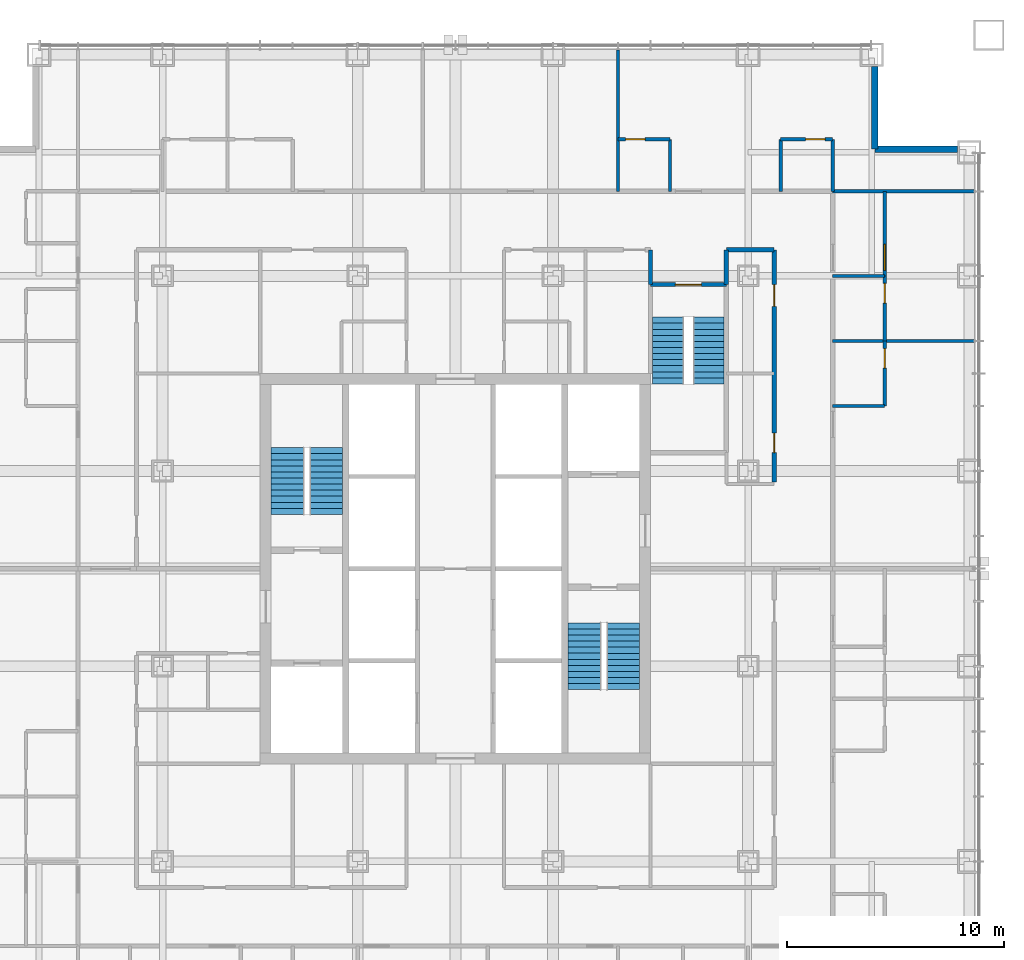
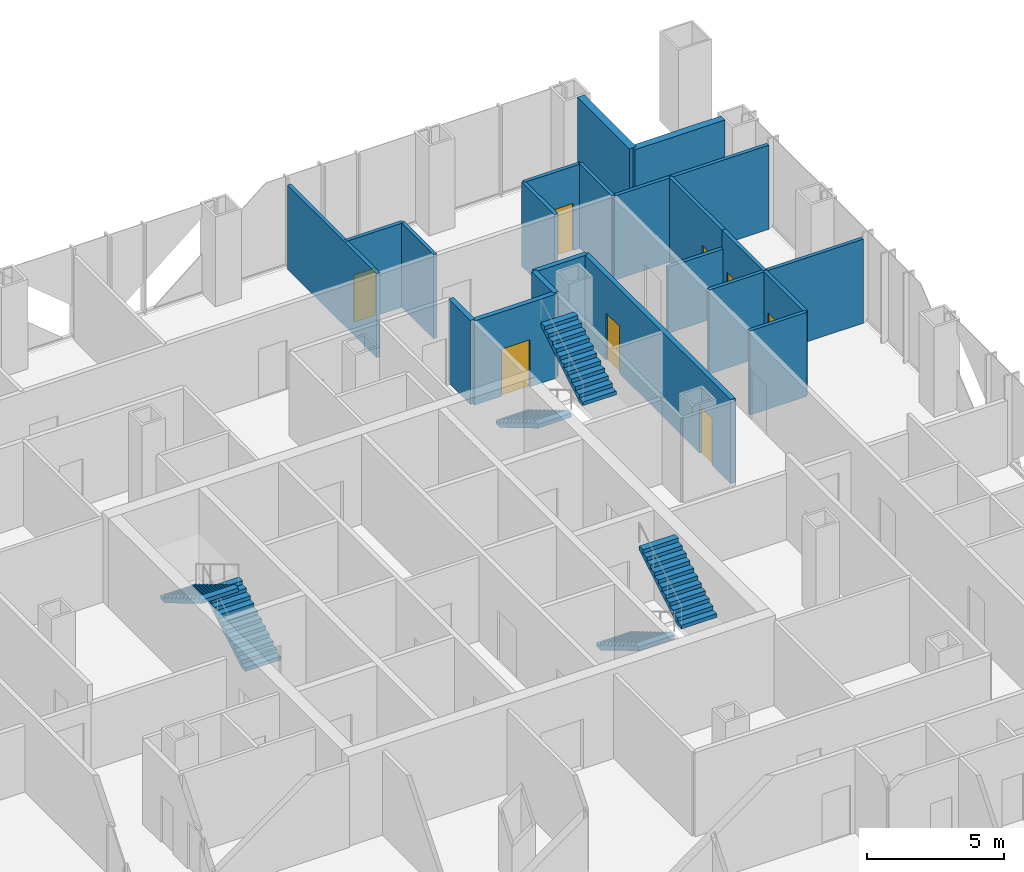
# One storey, part 12 of 17: 20 walls, 8 doors, 6 stair flights, 8 openings, 3 elements without a shape of their own.
"""IFC4 building model written with IfcOpenShell, lengths in metres."""

from ifc_helpers import new_model, si_unit, direction, frame, frame_2d, origin, place, context, subcontext, project, spatial, polyline, rectangle, outline, extrude, material, layer, layer_set, type_object, element, fill, aggregate, save


model = new_model("IFC4")

# Units and contexts
model_context = context("Model", 3, precision=1e-05, world=origin(), true_north=direction((0.0, 1.0)))
body_context = subcontext(model_context, "Body", "Model", "MODEL_VIEW")
ifc_project = project(units=[si_unit("LENGTHUNIT", "METRE"), si_unit("AREAUNIT", "SQUARE_METRE"), si_unit("VOLUMEUNIT", "CUBIC_METRE"), si_unit("PLANEANGLEUNIT", "RADIAN"), si_unit("MASSUNIT", "GRAM", prefix="KILO")], contexts=[model_context])

# Site, building, storey
site_placement = place(None, origin())
site = spatial("IfcSite", under=ifc_project, at=site_placement, CompositionType="ELEMENT")
building_placement = place(site_placement, origin())
building = spatial("IfcBuilding", under=site, at=building_placement, Name="Malebo Sky Hospital", CompositionType="ELEMENT")
storey_placement = place(building_placement, frame((0.0, 0.0, 120.0)))
storey = spatial("IfcBuildingStorey", under=building, at=storey_placement, Name="L28", CompositionType="ELEMENT", Elevation=120.0)

# Wall
ifc_material_1 = material(Name="Gypsum board on steel studs", Category="steel")
ifc_layer_1 = layer(ifc_material_1, 0.199951171875)
ifc_layer_set_1 = layer_set([ifc_layer_1], Name="CORRIDOR WALL 200")
wall_type_1 = type_object("IfcWallType", Name="CORRIDOR WALL 200", PredefinedType="PARTITIONING", material=ifc_layer_set_1)
wall_1_placement = place(storey_placement, frame((72.5, 76.699951171875, 0.0), z_axis=(0.0, 0.0, 1.0), x_axis=(1.0, 0.0, 0.0)))
element("IfcWall", 1, at=wall_1_placement, inside=storey, type_object=wall_type_1, Name="Corridor Wall 200 NCI2/2", PredefinedType="PARTITIONING", context=body_context, shape_type="SweptSolid", body=[
    extrude(rectangle(XDim=2.199951171875, YDim=0.199951171875, at=frame_2d((1.10009765625, 0.0))), origin(), (0.0, 0.0, 1.0), 3.75),
])

# Wall, openings, doors
wall_2_placement = place(storey_placement, frame((74.699951171875, 76.699951171875, 0.0), z_axis=(0.0, 0.0, 1.0), x_axis=(0.0, -1.0, 0.0)))
wall_2 = element("IfcWall", 2, at=wall_2_placement, inside=storey, type_object=wall_type_1, Name="Corridor Wall 200 ECI1", PredefinedType="PARTITIONING", context=body_context, shape_type="SweptSolid", body=[
    extrude(rectangle(XDim=10.699951171875, YDim=0.199951171875, at=frame_2d((5.35009765625, 0.0))), origin(), (0.0, 0.0, 1.0), 3.75),
])
opening_1_placement = place(wall_2_placement, frame((1.60009765625, 0.0, 0.0)))
opening_1 = element("IfcOpeningElement", 3, at=opening_1_placement, cuts=wall_2, Name="Opening D03", PredefinedType="OPENING", context=body_context, shape_type="SweptSolid", body=[
    extrude(rectangle(XDim=1.0, YDim=2.10009765625, at=frame_2d((0.5, 1.050048828125))), frame((0.0, 0.10986328125, 0.0), z_axis=(0.0, -1.0, 0.0), x_axis=(1.0, 0.0, 0.0)), (0.0, 0.0, 1.0), 0.219970703125),
])
opening_2_placement = place(wall_2_placement, frame((8.449951171875, 0.0, 0.0)))
opening_2 = element("IfcOpeningElement", 4, at=opening_2_placement, cuts=wall_2, Name="Opening D04", PredefinedType="OPENING", context=body_context, shape_type="SweptSolid", body=[
    extrude(rectangle(XDim=0.89990234375, YDim=2.10009765625, at=frame_2d((0.449951171875, 1.050048828125))), frame((0.0, 0.10986328125, 0.0), z_axis=(0.0, -1.0, 0.0), x_axis=(1.0, 0.0, 0.0)), (0.0, 0.0, 1.0), 0.219970703125),
])
ifc_material_2 = material(Name="Hardwood-faced door leaf in steel frame", Category="steel")
door_type_1 = type_object("IfcDoorType", Name="ROOM DOOR 1000", OperationType="SINGLE_SWING_LEFT", PredefinedType="DOOR", material=ifc_material_2)
door_1_placement = place(opening_1_placement, origin())
door_1 = element("IfcDoor", 5, at=door_1_placement, inside=storey, type_object=door_type_1, Name="Clean utility room door", OperationType="SINGLE_SWING_LEFT", OverallHeight=2.10009765625, OverallWidth=1.0, PredefinedType="DOOR", context=body_context, shape_type="SweptSolid", body=[
    extrude(rectangle(XDim=1.0, YDim=2.10009765625, at=frame_2d((0.5, 1.050048828125))), frame((0.0, 0.02490234375, 0.0), z_axis=(0.0, -1.0, 0.0), x_axis=(1.0, 0.0, 0.0)), (0.0, 0.0, 1.0), 0.050048828125),
])
fill(opening_1, door_1)
door_type_2 = type_object("IfcDoorType", Name="ROOM DOOR 900", OperationType="SINGLE_SWING_LEFT", PredefinedType="DOOR", material=ifc_material_2)
door_2_placement = place(opening_2_placement, origin())
door_2 = element("IfcDoor", 6, at=door_2_placement, inside=storey, type_object=door_type_2, Name="Equipment store door", OperationType="SINGLE_SWING_RIGHT", OverallHeight=2.10009765625, OverallWidth=0.89990234375, PredefinedType="DOOR", context=body_context, shape_type="SweptSolid", body=[
    extrude(rectangle(XDim=0.89990234375, YDim=2.10009765625, at=frame_2d((0.449951171875, 1.050048828125))), frame((0.0, 0.02490234375, 0.0), z_axis=(0.0, -1.0, 0.0), x_axis=(1.0, 0.0, 0.0)), (0.0, 0.0, 1.0), 0.050048828125),
])
fill(opening_2, door_2)

# Walls
for number, where, z_axis, x_axis, name in (
    (7, (69.0, 75.10009765625, 0.0), (0.0, 0.0, 1.0), (0.0, 1.0, 0.0), "Corridor Wall 200 ST3AW"),
    (8, (72.5, 75.10009765625, 0.0), (0.0, 0.0, 1.0), (0.0, 1.0, 0.0), "Corridor Wall 200 ST3AE"),
):
    element("IfcWall", number, at=place(storey_placement, frame(where, z_axis=z_axis, x_axis=x_axis)), inside=storey, type_object=wall_type_1, Name=name, PredefinedType="PARTITIONING", context=body_context, shape_type="SweptSolid", body=[
        extrude(rectangle(XDim=1.599853515625, YDim=0.199951171875, at=frame_2d((0.7998046875, 0.0))), origin(), (0.0, 0.0, 1.0), 3.75),
    ])
ifc_material_3 = material(Name="Anodised aluminium rainscreen on steel framing", Category="steel")
ifc_layer_2 = layer(ifc_material_3, 0.300048828125)
ifc_layer_set_2 = layer_set([ifc_layer_2], Name="NOTCH RAINSCREEN WALL 300")
wall_type_2 = type_object("IfcWallType", Name="NOTCH RAINSCREEN WALL 300", PredefinedType="ELEMENTEDWALL", material=ifc_layer_set_2)
for number, where, z_axis, x_axis, name in (
    (9, (79.35009765625, 85.14990234375, 0.0), (0.0, 0.0, 1.0), (0.0, -1.0, 0.0), "Notch rainscreen wall N1 L28"),
    (10, (79.35009765625, 81.35009765625, 0.0), (0.0, 0.0, 1.0), (1.0, 0.0, 0.0), "Notch rainscreen wall N2 L28"),
):
    element("IfcWall", number, at=place(storey_placement, frame(where, z_axis=z_axis, x_axis=x_axis)), inside=storey, type_object=wall_type_2, Name=name, PredefinedType="ELEMENTEDWALL", context=body_context, shape_type="SweptSolid", body=[
        extrude(rectangle(XDim=3.7998046875, YDim=0.300048828125, at=frame_2d((1.89990234375, 0.0))), origin(), (0.0, 0.0, 1.0), 4.0),
    ])
ifc_layer_3 = layer(ifc_material_1, 0.14990234375)
ifc_layer_set_3 = layer_set([ifc_layer_3], Name="PARTITION 150")
wall_type_3 = type_object("IfcWallType", Name="PARTITION 150", PredefinedType="PARTITIONING", material=ifc_layer_set_3)
wall_3_placement = place(storey_placement, frame((67.5, 79.39990234375, 0.0), z_axis=(0.0, 0.0, 1.0), x_axis=(0.0, 1.0, 0.0)))
element("IfcWall", 11, at=wall_3_placement, inside=storey, type_object=wall_type_3, Name="Partition 150 NP+7.5", PredefinedType="PARTITIONING", context=body_context, shape_type="SweptSolid", body=[
    extrude(rectangle(XDim=6.510009765625, YDim=0.14990234375, at=frame_2d((3.2548828125, 0.0))), origin(), (0.0, 0.0, 1.0), 3.75),
])

# Wall, opening, door
wall_4_placement = place(storey_placement, frame((67.5, 81.800048828125, 0.0), z_axis=(0.0, 0.0, 1.0), x_axis=(1.0, 0.0, 0.0)))
wall_4 = element("IfcWall", 12, at=wall_4_placement, inside=storey, type_object=wall_type_3, Name="Partition 150 NE3F", PredefinedType="PARTITIONING", context=body_context, shape_type="SweptSolid", body=[
    extrude(rectangle(XDim=2.39990234375, YDim=0.14990234375, at=frame_2d((1.199951171875, 0.0))), origin(), (0.0, 0.0, 1.0), 3.75),
])
opening_3_placement = place(wall_4_placement, frame((0.35009765625, 0.0, 0.0)))
opening_3 = element("IfcOpeningElement", 13, at=opening_3_placement, cuts=wall_4, Name="Opening D02", PredefinedType="OPENING", context=body_context, shape_type="SweptSolid", body=[
    extrude(rectangle(XDim=0.89990234375, YDim=2.10009765625, at=frame_2d((0.449951171875, 1.050048828125))), frame((0.0, 0.0849609375, 0.0), z_axis=(0.0, -1.0, 0.0), x_axis=(1.0, 0.0, 0.0)), (0.0, 0.0, 1.0), 0.169921875),
])
door_type_3 = type_object("IfcDoorType", Name="EN-SUITE DOOR 900", OperationType="SINGLE_SWING_LEFT", PredefinedType="DOOR", material=ifc_material_2)
door_3_placement = place(opening_3_placement, origin())
door_3 = element("IfcDoor", 14, at=door_3_placement, inside=storey, type_object=door_type_3, Name="En-suite door", OperationType="SINGLE_SWING_LEFT", OverallHeight=2.10009765625, OverallWidth=0.89990234375, PredefinedType="DOOR", context=body_context, shape_type="SweptSolid", body=[
    extrude(rectangle(XDim=0.89990234375, YDim=2.10009765625, at=frame_2d((0.449951171875, 1.050048828125))), frame((0.0, 0.02490234375, 0.0), z_axis=(0.0, -1.0, 0.0), x_axis=(1.0, 0.0, 0.0)), (0.0, 0.0, 1.0), 0.050048828125),
])
fill(opening_3, door_3)

# Wall
wall_5_placement = place(storey_placement, frame((69.89990234375, 79.39990234375, 0.0), z_axis=(0.0, 0.0, 1.0), x_axis=(0.0, 1.0, 0.0)))
element("IfcWall", 15, at=wall_5_placement, inside=storey, type_object=wall_type_3, Name="Partition 150 NE3S", PredefinedType="PARTITIONING", context=body_context, shape_type="SweptSolid", body=[
    extrude(rectangle(XDim=2.400146484375, YDim=0.14990234375, at=frame_2d((1.2001953125, 0.0))), origin(), (0.0, 0.0, 1.0), 3.75),
])

# Wall, opening, door
wall_6_placement = place(storey_placement, frame((75.0, 81.800048828125, 0.0), z_axis=(0.0, 0.0, 1.0), x_axis=(1.0, 0.0, 0.0)))
wall_6 = element("IfcWall", 16, at=wall_6_placement, inside=storey, type_object=wall_type_3, Name="Partition 150 NG3F", PredefinedType="PARTITIONING", context=body_context, shape_type="SweptSolid", body=[
    extrude(rectangle(XDim=2.39990234375, YDim=0.14990234375, at=frame_2d((1.199951171875, 0.0))), origin(), (0.0, 0.0, 1.0), 3.75),
])
opening_4_placement = place(wall_6_placement, frame((1.14990234375, 0.0, 0.0)))
opening_4 = element("IfcOpeningElement", 17, at=opening_4_placement, cuts=wall_6, Name="Opening D02", PredefinedType="OPENING", context=body_context, shape_type="SweptSolid", body=[
    extrude(rectangle(XDim=0.89990234375, YDim=2.10009765625, at=frame_2d((0.449951171875, 1.050048828125))), frame((0.0, 0.0849609375, 0.0), z_axis=(0.0, -1.0, 0.0), x_axis=(1.0, 0.0, 0.0)), (0.0, 0.0, 1.0), 0.169921875),
])
door_4_placement = place(opening_4_placement, origin())
door_4 = element("IfcDoor", 18, at=door_4_placement, inside=storey, type_object=door_type_3, Name="En-suite door", OperationType="SINGLE_SWING_RIGHT", OverallHeight=2.10009765625, OverallWidth=0.89990234375, PredefinedType="DOOR", context=body_context, shape_type="SweptSolid", body=[
    extrude(rectangle(XDim=0.89990234375, YDim=2.10009765625, at=frame_2d((0.449951171875, 1.050048828125))), frame((0.0, 0.02490234375, 0.0), z_axis=(0.0, -1.0, 0.0), x_axis=(1.0, 0.0, 0.0)), (0.0, 0.0, 1.0), 0.050048828125),
])
fill(opening_4, door_4)

# Walls
for number, where, z_axis, x_axis, name in (
    (19, (75.0, 79.39990234375, 0.0), (0.0, 0.0, 1.0), (0.0, 1.0, 0.0), "Partition 150 NG3S"),
    (20, (77.39990234375, 79.39990234375, 0.0), (0.0, 0.0, 1.0), (0.0, 1.0, 0.0), "Partition 150 NEZ"),
):
    element("IfcWall", number, at=place(storey_placement, frame(where, z_axis=z_axis, x_axis=x_axis)), inside=storey, type_object=wall_type_3, Name=name, PredefinedType="PARTITIONING", context=body_context, shape_type="SweptSolid", body=[
        extrude(rectangle(XDim=2.400146484375, YDim=0.14990234375, at=frame_2d((1.2001953125, 0.0))), origin(), (0.0, 0.0, 1.0), 3.75),
    ])
for number, where, z_axis, x_axis, name in (
    (21, (77.39990234375, 72.5, 0.0), (0.0, 0.0, 1.0), (1.0, 0.0, 0.0), "Partition 150 EP-10.5"),
    (22, (77.39990234375, 79.39990234375, 0.0), (0.0, 0.0, 1.0), (1.0, 0.0, 0.0), "Partition 150 EP0"),
):
    element("IfcWall", number, at=place(storey_placement, frame(where, z_axis=z_axis, x_axis=x_axis)), inside=storey, type_object=wall_type_3, Name=name, PredefinedType="PARTITIONING", context=body_context, shape_type="SweptSolid", body=[
        extrude(rectangle(XDim=6.510009765625, YDim=0.14990234375, at=frame_2d((3.2548828125, 0.0))), origin(), (0.0, 0.0, 1.0), 3.75),
    ])

# Wall, opening, door
wall_7_placement = place(storey_placement, frame((79.800048828125, 75.5, 0.0), z_axis=(0.0, 0.0, 1.0), x_axis=(0.0, -1.0, 0.0)))
wall_7 = element("IfcWall", 23, at=wall_7_placement, inside=storey, type_object=wall_type_3, Name="Partition 150 EE0F", PredefinedType="PARTITIONING", context=body_context, shape_type="SweptSolid", body=[
    extrude(rectangle(XDim=3.0, YDim=0.14990234375, at=frame_2d((1.5, 0.0))), origin(), (0.0, 0.0, 1.0), 3.75),
])
opening_5_placement = place(wall_7_placement, frame((0.35009765625, 0.0, 0.0)))
opening_5 = element("IfcOpeningElement", 24, at=opening_5_placement, cuts=wall_7, Name="Opening D02", PredefinedType="OPENING", context=body_context, shape_type="SweptSolid", body=[
    extrude(rectangle(XDim=0.89990234375, YDim=2.10009765625, at=frame_2d((0.449951171875, 1.050048828125))), frame((0.0, 0.0849609375, 0.0), z_axis=(0.0, -1.0, 0.0), x_axis=(1.0, 0.0, 0.0)), (0.0, 0.0, 1.0), 0.169921875),
])
door_5_placement = place(opening_5_placement, origin())
door_5 = element("IfcDoor", 25, at=door_5_placement, inside=storey, type_object=door_type_3, Name="En-suite door", OperationType="SINGLE_SWING_LEFT", OverallHeight=2.10009765625, OverallWidth=0.89990234375, PredefinedType="DOOR", context=body_context, shape_type="SweptSolid", body=[
    extrude(rectangle(XDim=0.89990234375, YDim=2.10009765625, at=frame_2d((0.449951171875, 1.050048828125))), frame((0.0, 0.02490234375, 0.0), z_axis=(0.0, -1.0, 0.0), x_axis=(1.0, 0.0, 0.0)), (0.0, 0.0, 1.0), 0.050048828125),
])
fill(opening_5, door_5)

# Wall
wall_8_placement = place(storey_placement, frame((77.39990234375, 75.5, 0.0), z_axis=(0.0, 0.0, 1.0), x_axis=(1.0, 0.0, 0.0)))
element("IfcWall", 26, at=wall_8_placement, inside=storey, type_object=wall_type_3, Name="Partition 150 EE0S", PredefinedType="PARTITIONING", context=body_context, shape_type="SweptSolid", body=[
    extrude(rectangle(XDim=2.400146484375, YDim=0.14990234375, at=frame_2d((1.2001953125, 0.0))), origin(), (0.0, 0.0, 1.0), 2.949951171875),
])

# Wall, opening, door
wall_9_placement = place(storey_placement, frame((79.800048828125, 72.5, 0.0), z_axis=(0.0, 0.0, 1.0), x_axis=(0.0, -1.0, 0.0)))
wall_9 = element("IfcWall", 27, at=wall_9_placement, inside=storey, type_object=wall_type_3, Name="Partition 150 EE1F", PredefinedType="PARTITIONING", context=body_context, shape_type="SweptSolid", body=[
    extrude(rectangle(XDim=3.0, YDim=0.14990234375, at=frame_2d((1.5, 0.0))), origin(), (0.0, 0.0, 1.0), 3.75),
])
opening_6_placement = place(wall_9_placement, frame((0.35009765625, 0.0, 0.0)))
opening_6 = element("IfcOpeningElement", 28, at=opening_6_placement, cuts=wall_9, Name="Opening D02", PredefinedType="OPENING", context=body_context, shape_type="SweptSolid", body=[
    extrude(rectangle(XDim=0.89990234375, YDim=2.10009765625, at=frame_2d((0.449951171875, 1.050048828125))), frame((0.0, 0.0849609375, 0.0), z_axis=(0.0, -1.0, 0.0), x_axis=(1.0, 0.0, 0.0)), (0.0, 0.0, 1.0), 0.169921875),
])
door_6_placement = place(opening_6_placement, origin())
door_6 = element("IfcDoor", 29, at=door_6_placement, inside=storey, type_object=door_type_3, Name="En-suite door", OperationType="SINGLE_SWING_LEFT", OverallHeight=2.10009765625, OverallWidth=0.89990234375, PredefinedType="DOOR", context=body_context, shape_type="SweptSolid", body=[
    extrude(rectangle(XDim=0.89990234375, YDim=2.10009765625, at=frame_2d((0.449951171875, 1.050048828125))), frame((0.0, 0.02490234375, 0.0), z_axis=(0.0, -1.0, 0.0), x_axis=(1.0, 0.0, 0.0)), (0.0, 0.0, 1.0), 0.050048828125),
])
fill(opening_6, door_6)

# Wall
wall_10_placement = place(storey_placement, frame((77.39990234375, 69.5, 0.0), z_axis=(0.0, 0.0, 1.0), x_axis=(1.0, 0.0, 0.0)))
element("IfcWall", 30, at=wall_10_placement, inside=storey, type_object=wall_type_3, Name="Partition 150 EE1S", PredefinedType="PARTITIONING", context=body_context, shape_type="SweptSolid", body=[
    extrude(rectangle(XDim=2.400146484375, YDim=0.14990234375, at=frame_2d((1.2001953125, 0.0))), origin(), (0.0, 0.0, 1.0), 3.75),
])

# Wall, opening, door
ifc_material_4 = material(Name="Sealed gypsum board on steel studs, taped to the slab", Category="steel")
ifc_layer_4 = layer(ifc_material_4, 0.14990234375)
ifc_layer_set_4 = layer_set([ifc_layer_4], Name="SEALED ISOLATION PARTITION 150")
wall_type_4 = type_object("IfcWallType", Name="SEALED ISOLATION PARTITION 150", PredefinedType="PARTITIONING", material=ifc_layer_set_4)
wall_11_placement = place(storey_placement, frame((79.800048828125, 79.39990234375, 0.0), z_axis=(0.0, 0.0, 1.0), x_axis=(0.0, -1.0, 0.0)))
wall_11 = element("IfcWall", 31, at=wall_11_placement, inside=storey, type_object=wall_type_4, Name="Sealed Isolation Partition 150 EA0F", PredefinedType="PARTITIONING", context=body_context, shape_type="SweptSolid", body=[
    extrude(rectangle(XDim=3.89990234375, YDim=0.14990234375, at=frame_2d((1.949951171875, 0.0))), origin(), (0.0, 0.0, 1.0), 3.75),
])
opening_7_placement = place(wall_11_placement, frame((2.449951171875, 0.0, 0.0)))
opening_7 = element("IfcOpeningElement", 32, at=opening_7_placement, cuts=wall_11, Name="Opening D19", PredefinedType="OPENING", context=body_context, shape_type="SweptSolid", body=[
    extrude(rectangle(XDim=1.199951171875, YDim=2.199951171875, at=frame_2d((0.60009765625, 1.10009765625))), frame((0.0, 0.0849609375, 0.0), z_axis=(0.0, -1.0, 0.0), x_axis=(1.0, 0.0, 0.0)), (0.0, 0.0, 1.0), 0.169921875),
])
ifc_material_5 = material(Name="Hardwood-faced door leaf with perimeter seals in steel frame", Category="steel")
door_type_4 = type_object("IfcDoorType", Name="SEALED ISOLATION ROOM DOOR 1200", OperationType="SINGLE_SWING_LEFT", PredefinedType="DOOR", material=ifc_material_5)
door_7_placement = place(opening_7_placement, origin())
door_7 = element("IfcDoor", 33, at=door_7_placement, inside=storey, type_object=door_type_4, Name="Isolation room door", OperationType="SINGLE_SWING_RIGHT", OverallHeight=2.199951171875, OverallWidth=1.199951171875, PredefinedType="DOOR", context=body_context, shape_type="SweptSolid", body=[
    extrude(rectangle(XDim=1.199951171875, YDim=2.199951171875, at=frame_2d((0.60009765625, 1.10009765625))), frame((0.0, 0.02490234375, 0.0), z_axis=(0.0, -1.0, 0.0), x_axis=(1.0, 0.0, 0.0)), (0.0, 0.0, 1.0), 0.050048828125),
])
fill(opening_7, door_7)

ifc_material_6 = material(Name="Concrete C40/50", Category="concrete")
ifc_layer_5 = layer(ifc_material_6, 0.199951171875)
ifc_layer_set_5 = layer_set([ifc_layer_5], Name="STAIR ENCLOSURE WALL 200")
wall_type_5 = type_object("IfcWallType", Name="STAIR ENCLOSURE WALL 200", PredefinedType="SOLIDWALL", material=ifc_layer_set_5)
wall_12_placement = place(storey_placement, frame((69.0, 75.10009765625, 0.0), z_axis=(0.0, 0.0, 1.0), x_axis=(1.0, 0.0, 0.0)))
wall_12 = element("IfcWall", 34, at=wall_12_placement, inside=storey, type_object=wall_type_5, Name="Stair Enclosure Wall 200 ST3N", PredefinedType="SOLIDWALL", context=body_context, shape_type="SweptSolid", body=[
    extrude(rectangle(XDim=3.5, YDim=0.199951171875, at=frame_2d((1.75, 0.0))), origin(), (0.0, 0.0, 1.0), 3.75),
])
opening_8_placement = place(wall_12_placement, frame((1.14990234375, 0.0, 0.0)))
opening_8 = element("IfcOpeningElement", 35, at=opening_8_placement, cuts=wall_12, Name="Opening D08", PredefinedType="OPENING", context=body_context, shape_type="SweptSolid", body=[
    extrude(rectangle(XDim=1.199951171875, YDim=2.10009765625, at=frame_2d((0.60009765625, 1.050048828125))), frame((0.0, 0.10986328125, 0.0), z_axis=(0.0, -1.0, 0.0), x_axis=(1.0, 0.0, 0.0)), (0.0, 0.0, 1.0), 0.219970703125),
])
door_type_5 = type_object("IfcDoorType", Name="STAIR DOOR 1200", OperationType="SINGLE_SWING_LEFT", PredefinedType="DOOR", material=ifc_material_2)
door_8_placement = place(opening_8_placement, origin())
door_8 = element("IfcDoor", 36, at=door_8_placement, inside=storey, type_object=door_type_5, Name="Stair S3 door", OperationType="SINGLE_SWING_LEFT", OverallHeight=2.10009765625, OverallWidth=1.199951171875, PredefinedType="DOOR", context=body_context, shape_type="SweptSolid", body=[
    extrude(rectangle(XDim=1.199951171875, YDim=2.10009765625, at=frame_2d((0.60009765625, 1.050048828125))), frame((0.0, 0.02490234375, 0.0), z_axis=(0.0, -1.0, 0.0), x_axis=(1.0, 0.0, 0.0)), (0.0, 0.0, 1.0), 0.050048828125),
])
fill(opening_8, door_8)

# Stair, stair flights
stair_type_1 = type_object("IfcStairType", Name="HALF-TURN STAIR 1400 R167", PredefinedType="HALF_TURN_STAIR", material=ifc_material_6)
stair_1_placement = place(storey_placement, origin())
stair_1 = element("IfcStair", 37, at=stair_1_placement, inside=storey, type_object=stair_type_1, Name="Stair S3 L28 type ST1B", PredefinedType="HALF_TURN_STAIR")
stair_flight_type_1 = type_object("IfcStairFlightType", Name="STAIR FLIGHT 1400 R167", PredefinedType="STRAIGHT", material=ifc_material_6)
stair_flight_1_placement = place(storey_placement, frame((69.800048828125, 73.60009765625, 0.0), z_axis=(0.0, 0.0, 1.0), x_axis=(0.0, -1.0, 0.0)))
stair_flight_1 = element("IfcStairFlight", 38, at=stair_flight_1_placement, type_object=stair_flight_type_1, Name="S3 flight 1 type SF1B", NumberOfRisers=12, NumberOfTreads=11, PredefinedType="STRAIGHT", RiserHeight=0.166666667, TreadLength=0.28, context=body_context, shape_type="SweptSolid", body=[
    extrude(outline(polyline([(0.0, 0.0), (0.0, 0.166748046875), (0.280029296875, 0.166748046875), (0.280029296875, 0.333251953125), (0.56005859375, 0.333251953125), (0.56005859375, 0.5), (0.840087890625, 0.5), (0.840087890625, 0.666748046875), (1.1201171875, 0.666748046875), (1.1201171875, 0.833251953125), (1.39990234375, 0.833251953125), (1.39990234375, 1.0), (1.679931640625, 1.0), (1.679931640625, 1.166748046875), (1.9599609375, 1.166748046875), (1.9599609375, 1.333251953125), (2.239990234375, 1.333251953125), (2.239990234375, 1.5), (2.52001953125, 1.5), (2.52001953125, 1.666748046875), (2.800048828125, 1.666748046875), (2.800048828125, 1.833251953125), (3.080078125, 1.833251953125), (3.080078125, 2.0), (3.080078125, 1.658935546875), (0.29296875, 0.0), (0.0, 0.0)])), frame((0.0, 0.699951171875, 0.0), z_axis=(0.0, -1.0, 0.0), x_axis=(1.0, 0.0, 0.0)), (0.0, 0.0, 1.0), 1.39990234375),
])
stair_flight_2_placement = place(storey_placement, frame((71.699951171875, 70.52001953125, 2.0), z_axis=(0.0, 0.0, 1.0), x_axis=(0.0, 1.0, 0.0)))
stair_flight_2 = element("IfcStairFlight", 39, at=stair_flight_2_placement, type_object=stair_flight_type_1, Name="S3 flight 2 type SF1B", NumberOfRisers=12, NumberOfTreads=11, PredefinedType="STRAIGHT", RiserHeight=0.166666667, TreadLength=0.28, context=body_context, shape_type="SweptSolid", body=[
    extrude(outline(polyline([(0.0, 0.0), (0.0, 0.166748046875), (0.280029296875, 0.166748046875), (0.280029296875, 0.333251953125), (0.56005859375, 0.333251953125), (0.56005859375, 0.5), (0.840087890625, 0.5), (0.840087890625, 0.666748046875), (1.1201171875, 0.666748046875), (1.1201171875, 0.833251953125), (1.39990234375, 0.833251953125), (1.39990234375, 1.0), (1.679931640625, 1.0), (1.679931640625, 1.166748046875), (1.9599609375, 1.166748046875), (1.9599609375, 1.333251953125), (2.239990234375, 1.333251953125), (2.239990234375, 1.5), (2.52001953125, 1.5), (2.52001953125, 1.666748046875), (2.800048828125, 1.666748046875), (2.800048828125, 1.833251953125), (3.080078125, 1.833251953125), (3.080078125, 2.0), (3.080078125, 1.658935546875), (0.29296875, 0.0), (0.0, 0.0)])), frame((0.0, 0.699951171875, 0.0), z_axis=(0.0, -1.0, 0.0), x_axis=(1.0, 0.0, 0.0)), (0.0, 0.0, 1.0), 1.39990234375),
])
aggregate(stair_1, [stair_flight_1, stair_flight_2])

stair_type_2 = type_object("IfcStairType", Name="HALF-TURN STAIR 1500 R167", PredefinedType="HALF_TURN_STAIR", material=ifc_material_6)
stair_2_placement = place(storey_placement, origin())
stair_2 = element("IfcStair", 40, at=stair_2_placement, inside=storey, type_object=stair_type_2, Name="Stair S1 L28 type ST1", PredefinedType="HALF_TURN_STAIR")
stair_flight_type_2 = type_object("IfcStairFlightType", Name="STAIR FLIGHT 1500 R167", PredefinedType="STRAIGHT", material=ifc_material_6)
stair_flight_3_placement = place(storey_placement, frame((54.050048828125, 64.5, 0.0), z_axis=(0.0, 0.0, 1.0), x_axis=(0.0, 1.0, 0.0)))
stair_flight_3 = element("IfcStairFlight", 41, at=stair_flight_3_placement, type_object=stair_flight_type_2, Name="S1 flight 1 type SF1", NumberOfRisers=12, NumberOfTreads=11, PredefinedType="STRAIGHT", RiserHeight=0.166666667, TreadLength=0.28, context=body_context, shape_type="SweptSolid", body=[
    extrude(outline(polyline([(0.0, 0.0), (0.0, 0.166748046875), (0.280029296875, 0.166748046875), (0.280029296875, 0.333251953125), (0.56005859375, 0.333251953125), (0.56005859375, 0.5), (0.840087890625, 0.5), (0.840087890625, 0.666748046875), (1.1201171875, 0.666748046875), (1.1201171875, 0.833251953125), (1.39990234375, 0.833251953125), (1.39990234375, 1.0), (1.679931640625, 1.0), (1.679931640625, 1.166748046875), (1.9599609375, 1.166748046875), (1.9599609375, 1.333251953125), (2.239990234375, 1.333251953125), (2.239990234375, 1.5), (2.52001953125, 1.5), (2.52001953125, 1.666748046875), (2.800048828125, 1.666748046875), (2.800048828125, 1.833251953125), (3.080078125, 1.833251953125), (3.080078125, 2.0), (3.080078125, 1.658935546875), (0.29296875, 0.0), (0.0, 0.0)])), frame((0.0, 0.75, 0.0), z_axis=(0.0, -1.0, 0.0), x_axis=(1.0, 0.0, 0.0)), (0.0, 0.0, 1.0), 1.5),
])
stair_flight_4_placement = place(storey_placement, frame((52.25, 67.580078125, 2.0), z_axis=(0.0, 0.0, 1.0), x_axis=(0.0, -1.0, 0.0)))
stair_flight_4 = element("IfcStairFlight", 42, at=stair_flight_4_placement, type_object=stair_flight_type_2, Name="S1 flight 2 type SF1", NumberOfRisers=12, NumberOfTreads=11, PredefinedType="STRAIGHT", RiserHeight=0.166666667, TreadLength=0.28, context=body_context, shape_type="SweptSolid", body=[
    extrude(outline(polyline([(0.0, 0.0), (0.0, 0.166748046875), (0.280029296875, 0.166748046875), (0.280029296875, 0.333251953125), (0.56005859375, 0.333251953125), (0.56005859375, 0.5), (0.840087890625, 0.5), (0.840087890625, 0.666748046875), (1.1201171875, 0.666748046875), (1.1201171875, 0.833251953125), (1.39990234375, 0.833251953125), (1.39990234375, 1.0), (1.679931640625, 1.0), (1.679931640625, 1.166748046875), (1.9599609375, 1.166748046875), (1.9599609375, 1.333251953125), (2.239990234375, 1.333251953125), (2.239990234375, 1.5), (2.52001953125, 1.5), (2.52001953125, 1.666748046875), (2.800048828125, 1.666748046875), (2.800048828125, 1.833251953125), (3.080078125, 1.833251953125), (3.080078125, 2.0), (3.080078125, 1.658935546875), (0.29296875, 0.0), (0.0, 0.0)])), frame((0.0, 0.75, 0.0), z_axis=(0.0, -1.0, 0.0), x_axis=(1.0, 0.0, 0.0)), (0.0, 0.0, 1.0), 1.5),
])
aggregate(stair_2, [stair_flight_3, stair_flight_4])

stair_3_placement = place(storey_placement, origin())
stair_3 = element("IfcStair", 43, at=stair_3_placement, inside=storey, type_object=stair_type_2, Name="Stair S2 L28 type ST1", PredefinedType="HALF_TURN_STAIR")
stair_flight_5_placement = place(storey_placement, frame((65.949951171875, 59.5, 0.0), z_axis=(0.0, 0.0, 1.0), x_axis=(0.0, -1.0, 0.0)))
stair_flight_5 = element("IfcStairFlight", 44, at=stair_flight_5_placement, type_object=stair_flight_type_2, Name="S2 flight 1 type SF1", NumberOfRisers=12, NumberOfTreads=11, PredefinedType="STRAIGHT", RiserHeight=0.166666667, TreadLength=0.28, context=body_context, shape_type="SweptSolid", body=[
    extrude(outline(polyline([(0.0, 0.0), (0.0, 0.166748046875), (0.280029296875, 0.166748046875), (0.280029296875, 0.333251953125), (0.56005859375, 0.333251953125), (0.56005859375, 0.5), (0.840087890625, 0.5), (0.840087890625, 0.666748046875), (1.1201171875, 0.666748046875), (1.1201171875, 0.833251953125), (1.39990234375, 0.833251953125), (1.39990234375, 1.0), (1.679931640625, 1.0), (1.679931640625, 1.166748046875), (1.9599609375, 1.166748046875), (1.9599609375, 1.333251953125), (2.239990234375, 1.333251953125), (2.239990234375, 1.5), (2.52001953125, 1.5), (2.52001953125, 1.666748046875), (2.800048828125, 1.666748046875), (2.800048828125, 1.833251953125), (3.080078125, 1.833251953125), (3.080078125, 2.0), (3.080078125, 1.658935546875), (0.29296875, 0.0), (0.0, 0.0)])), frame((0.0, 0.75, 0.0), z_axis=(0.0, -1.0, 0.0), x_axis=(1.0, 0.0, 0.0)), (0.0, 0.0, 1.0), 1.5),
])
stair_flight_6_placement = place(storey_placement, frame((67.75, 56.419921875, 2.0), z_axis=(0.0, 0.0, 1.0), x_axis=(0.0, 1.0, 0.0)))
stair_flight_6 = element("IfcStairFlight", 45, at=stair_flight_6_placement, type_object=stair_flight_type_2, Name="S2 flight 2 type SF1", NumberOfRisers=12, NumberOfTreads=11, PredefinedType="STRAIGHT", RiserHeight=0.166666667, TreadLength=0.28, context=body_context, shape_type="SweptSolid", body=[
    extrude(outline(polyline([(0.0, 0.0), (0.0, 0.166748046875), (0.280029296875, 0.166748046875), (0.280029296875, 0.333251953125), (0.56005859375, 0.333251953125), (0.56005859375, 0.5), (0.840087890625, 0.5), (0.840087890625, 0.666748046875), (1.1201171875, 0.666748046875), (1.1201171875, 0.833251953125), (1.39990234375, 0.833251953125), (1.39990234375, 1.0), (1.679931640625, 1.0), (1.679931640625, 1.166748046875), (1.9599609375, 1.166748046875), (1.9599609375, 1.333251953125), (2.239990234375, 1.333251953125), (2.239990234375, 1.5), (2.52001953125, 1.5), (2.52001953125, 1.666748046875), (2.800048828125, 1.666748046875), (2.800048828125, 1.833251953125), (3.080078125, 1.833251953125), (3.080078125, 2.0), (3.080078125, 1.658935546875), (0.29296875, 0.0), (0.0, 0.0)])), frame((0.0, 0.75, 0.0), z_axis=(0.0, -1.0, 0.0), x_axis=(1.0, 0.0, 0.0)), (0.0, 0.0, 1.0), 1.5),
])
aggregate(stair_3, [stair_flight_5, stair_flight_6])

save(model, "model.ifc")
